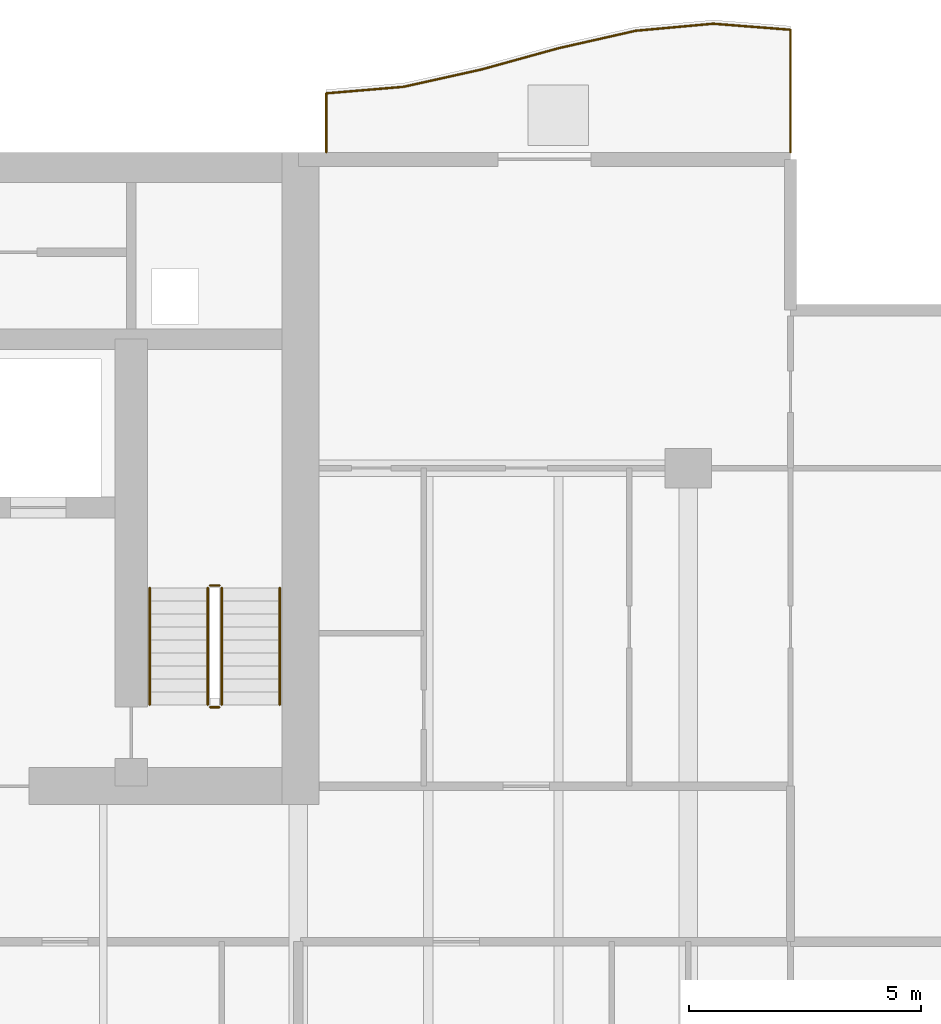
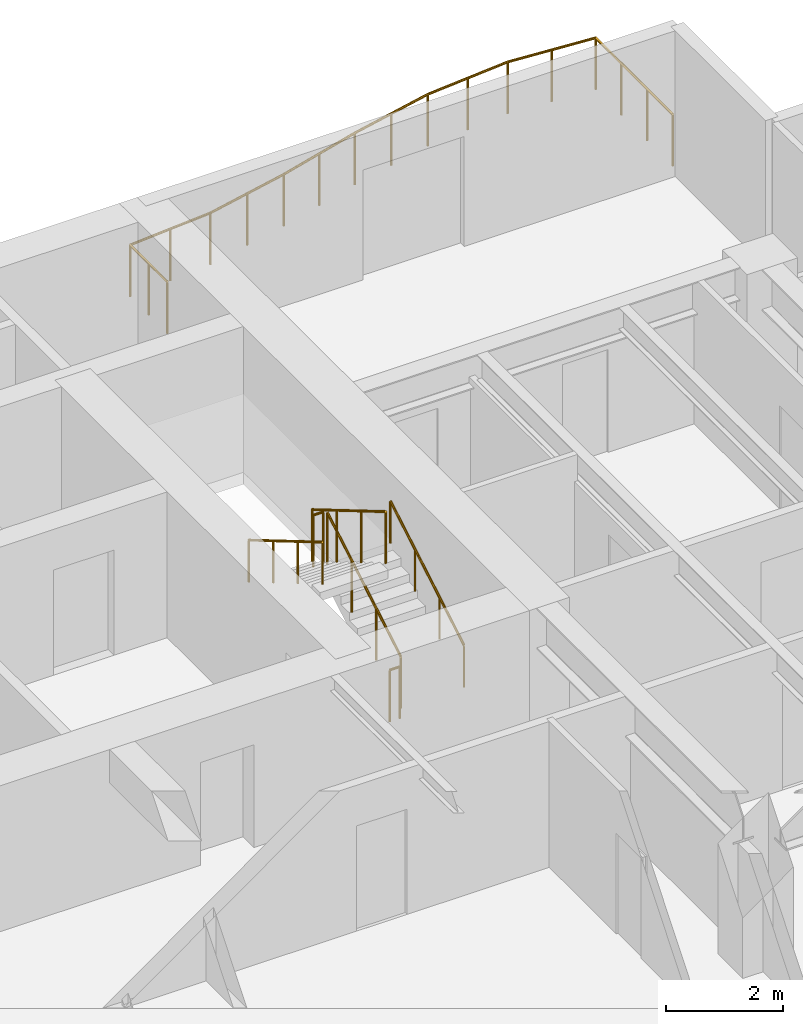
# One storey, part 19 of 20: 7 railings.
"""IFC4 building model written with IfcOpenShell, lengths in metres."""

from ifc_helpers import new_model, si_unit, direction, frame, origin, origin_2d, place, context, subcontext, project, spatial, circle, extrude, material, type_object, element, save


model = new_model("IFC4")

# Units and contexts
model_context = context("Model", 3, precision=1e-05, world=origin(), true_north=direction((0.0, 1.0)))
body_context = subcontext(model_context, "Body", "Model", "MODEL_VIEW")
ifc_project = project(units=[si_unit("LENGTHUNIT", "METRE"), si_unit("AREAUNIT", "SQUARE_METRE"), si_unit("VOLUMEUNIT", "CUBIC_METRE"), si_unit("PLANEANGLEUNIT", "RADIAN"), si_unit("MASSUNIT", "GRAM", prefix="KILO")], contexts=[model_context])

# Site, building, storey
site_placement = place(None, origin())
site = spatial("IfcSite", under=ifc_project, at=site_placement, CompositionType="ELEMENT")
building_placement = place(site_placement, origin())
building = spatial("IfcBuilding", under=site, at=building_placement, Name="Caelmar Bay Residences", CompositionType="ELEMENT")
storey_placement = place(building_placement, frame((0.0, 0.0, 119.10009765625)))
storey = spatial("IfcBuildingStorey", under=building, at=storey_placement, Name="L32", CompositionType="ELEMENT", Elevation=119.10009765625)

# Railings
ifc_material_1 = material(Name="Anodised bronze handrail with laminated hurricane glass infill", Category="glass")
railing_type_1 = type_object("IfcRailingType", Name="RL-BAL-1100", PredefinedType="BALUSTRADE", material=ifc_material_1)
railing_1_placement = place(storey_placement, frame((70.10009765625, 50.60009765625, 0.0)))
element("IfcRailing", 1, at=railing_1_placement, inside=storey, type_object=railing_type_1, Name="L32 north_east Balcony Balustrade", PredefinedType="BALUSTRADE", context=body_context, shape_type="SweptSolid", body=[
    extrude(circle(Radius=0.02392578125, at=origin_2d()), frame((0.0, 0.0, 1.076171875), z_axis=(0.0, 1.0, 0.0), x_axis=(-1.0, 0.0, 0.0)), (0.0, 0.0, 1.0), 2.6396484375),
    extrude(circle(Radius=0.02392578125, at=origin_2d()), frame((0.0, 2.6396484375, 1.076171875), z_axis=(-0.996966215155, 0.077835505006, 0.0), x_axis=(-0.077835505006, -0.996966215155, 0.0)), (0.0, 0.0, 1.0), 1.671875),
    extrude(circle(Radius=0.02392578125, at=origin_2d()), frame((-1.666748046875, 2.769775390625, 1.076171875), z_axis=(-0.995875251716, -0.090733031576, 0.0), x_axis=(0.090733031576, -0.995875251716, 0.0)), (0.0, 0.0, 1.0), 1.673583984375),
    extrude(circle(Radius=0.02392578125, at=origin_2d()), frame((-3.33349609375, 2.617919921875, 1.076171875), z_axis=(-0.975359729599, -0.220620483812, 0.0), x_axis=(0.220620483812, -0.975359729599, 0.0)), (0.0, 0.0, 1.0), 1.70849609375),
    extrude(circle(Radius=0.02392578125, at=origin_2d()), frame((-5.0, 2.240966796875, 1.076171875), z_axis=(-0.963967650546, -0.266019489326, 0.0), x_axis=(0.266019489326, -0.963967650546, 0.0)), (0.0, 0.0, 1.0), 1.72900390625),
    extrude(circle(Radius=0.02392578125, at=origin_2d()), frame((-6.666748046875, 1.781005859375, 1.076171875), z_axis=(-0.976220694112, -0.216779049696, 0.0), x_axis=(0.216779049696, -0.976220694112, 0.0)), (0.0, 0.0, 1.0), 1.707275390625),
    extrude(circle(Radius=0.02392578125, at=origin_2d()), frame((-8.33349609375, 1.410888671875, 1.076171875), z_axis=(-0.996446393918, -0.084229353837, 0.0), x_axis=(0.084229353837, -0.996446393918, 0.0)), (0.0, 0.0, 1.0), 1.67236328125),
    extrude(circle(Radius=0.02392578125, at=origin_2d()), frame((-10.0, 1.27001953125, 1.076171875), z_axis=(0.0, -1.0, 0.0), x_axis=(1.0, 0.0, 0.0)), (0.0, 0.0, 1.0), 1.27001953125),
    extrude(circle(Radius=0.02099609375, at=origin_2d()), origin(), (0.0, 0.0, 1.0), 1.052001953125),
    extrude(circle(Radius=0.02099609375, at=origin_2d()), frame((0.0, 0.8798828125, 0.0)), (0.0, 0.0, 1.0), 1.052001953125),
    extrude(circle(Radius=0.02099609375, at=origin_2d()), frame((0.0, 1.759765625, 0.0)), (0.0, 0.0, 1.0), 1.052001953125),
    extrude(circle(Radius=0.02099609375, at=origin_2d()), frame((0.0, 2.6396484375, 0.0)), (0.0, 0.0, 1.0), 1.052001953125),
    extrude(circle(Radius=0.02099609375, at=origin_2d()), frame((-0.83349609375, 2.70458984375, 0.0)), (0.0, 0.0, 1.0), 1.052001953125),
    extrude(circle(Radius=0.02099609375, at=origin_2d()), frame((-1.666748046875, 2.769775390625, 0.0)), (0.0, 0.0, 1.0), 1.052001953125),
    extrude(circle(Radius=0.02099609375, at=origin_2d()), frame((-2.5, 2.69384765625, 0.0)), (0.0, 0.0, 1.0), 1.052001953125),
    extrude(circle(Radius=0.02099609375, at=origin_2d()), frame((-3.33349609375, 2.617919921875, 0.0)), (0.0, 0.0, 1.0), 1.052001953125),
    extrude(circle(Radius=0.02099609375, at=origin_2d()), frame((-4.166748046875, 2.429443359375, 0.0)), (0.0, 0.0, 1.0), 1.052001953125),
    extrude(circle(Radius=0.02099609375, at=origin_2d()), frame((-5.0, 2.240966796875, 0.0)), (0.0, 0.0, 1.0), 1.052001953125),
    extrude(circle(Radius=0.02099609375, at=origin_2d()), frame((-5.83349609375, 2.010986328125, 0.0)), (0.0, 0.0, 1.0), 1.052001953125),
    extrude(circle(Radius=0.02099609375, at=origin_2d()), frame((-6.666748046875, 1.781005859375, 0.0)), (0.0, 0.0, 1.0), 1.052001953125),
    extrude(circle(Radius=0.02099609375, at=origin_2d()), frame((-7.5, 1.595947265625, 0.0)), (0.0, 0.0, 1.0), 1.052001953125),
    extrude(circle(Radius=0.02099609375, at=origin_2d()), frame((-8.33349609375, 1.410888671875, 0.0)), (0.0, 0.0, 1.0), 1.052001953125),
    extrude(circle(Radius=0.02099609375, at=origin_2d()), frame((-9.166748046875, 1.34033203125, 0.0)), (0.0, 0.0, 1.0), 1.052001953125),
    extrude(circle(Radius=0.02099609375, at=origin_2d()), frame((-10.0, 1.27001953125, 0.0)), (0.0, 0.0, 1.0), 1.052001953125),
    extrude(circle(Radius=0.02099609375, at=origin_2d()), frame((-10.0, 0.635009765625, 0.0)), (0.0, 0.0, 1.0), 1.052001953125),
    extrude(circle(Radius=0.02099609375, at=origin_2d()), frame((-10.0, 0.0, 0.0)), (0.0, 0.0, 1.0), 1.052001953125),
])
ifc_material_2 = material(Name="Painted galvanized steel stair guard 1100 mm", Category="steel")
railing_type_2 = type_object("IfcRailingType", Name="RL-GRD-1100", PredefinedType="GUARDRAIL", material=ifc_material_2)
railing_2_placement = place(storey_placement, frame((57.85009765625, 38.699951171875, 0.164794921875)))
element("IfcRailing", 2, at=railing_2_placement, inside=storey, type_object=railing_type_2, Name="L32 ST2 stair guard 1", PredefinedType="GUARDRAIL", context=body_context, shape_type="SweptSolid", body=[
    extrude(circle(Radius=0.02392578125, at=origin_2d()), frame((0.0, 0.0, 1.076171875), z_axis=(0.0, 0.86152411907, 0.507716645641), x_axis=(-1.0, 0.0, 0.0)), (0.0, 0.0, 1.0), 2.925048828125),
    extrude(circle(Radius=0.02099609375, at=origin_2d()), origin(), (0.0, 0.0, 1.0), 1.052001953125),
    extrude(circle(Radius=0.02099609375, at=origin_2d()), frame((0.0, 0.840087890625, 0.4951171875)), (0.0, 0.0, 1.0), 1.052001953125),
    extrude(circle(Radius=0.02099609375, at=origin_2d()), frame((0.0, 1.679931640625, 0.989990234375)), (0.0, 0.0, 1.0), 1.052001953125),
    extrude(circle(Radius=0.02099609375, at=origin_2d()), frame((0.0, 2.52001953125, 1.485107421875)), (0.0, 0.0, 1.0), 1.052001953125),
])
railing_3_placement = place(storey_placement, frame((57.800048828125, 41.27001953125, 1.64990234375)))
element("IfcRailing", 3, at=railing_3_placement, inside=storey, type_object=railing_type_2, Name="L32 ST2 stair guard 2", PredefinedType="GUARDRAIL", context=body_context, shape_type="SweptSolid", body=[
    extrude(circle(Radius=0.02392578125, at=origin_2d()), frame((0.0, 0.0, 1.076171875), z_axis=(-1.0, 0.0, 0.0), x_axis=(0.0, -1.0, 0.0)), (0.0, 0.0, 1.0), 0.199951171875),
    extrude(circle(Radius=0.02099609375, at=origin_2d()), origin(), (0.0, 0.0, 1.0), 1.052001953125),
    extrude(circle(Radius=0.02099609375, at=origin_2d()), frame((-0.199951171875, 0.0, 0.0)), (0.0, 0.0, 1.0), 1.052001953125),
])
railing_4_placement = place(storey_placement, frame((57.550048828125, 41.219970703125, 1.81494140625)))
element("IfcRailing", 4, at=railing_4_placement, inside=storey, type_object=railing_type_2, Name="L32 ST2 stair guard 3", PredefinedType="GUARDRAIL", context=body_context, shape_type="SweptSolid", body=[
    extrude(circle(Radius=0.02392578125, at=origin_2d()), frame((0.0, 0.0, 1.076171875), z_axis=(0.0, -0.861560626758, 0.507654692109), x_axis=(1.0, 0.0, 0.0)), (0.0, 0.0, 1.0), 2.925048828125),
    extrude(circle(Radius=0.02099609375, at=origin_2d()), origin(), (0.0, 0.0, 1.0), 1.052001953125),
    extrude(circle(Radius=0.02099609375, at=origin_2d()), frame((0.0, -0.840087890625, 0.494873046875)), (0.0, 0.0, 1.0), 1.052001953125),
    extrude(circle(Radius=0.02099609375, at=origin_2d()), frame((0.0, -1.679931640625, 0.989990234375)), (0.0, 0.0, 1.0), 1.052001953125),
    extrude(circle(Radius=0.02099609375, at=origin_2d()), frame((0.0, -2.52001953125, 1.48486328125)), (0.0, 0.0, 1.0), 1.052001953125),
])
railing_5_placement = place(storey_placement, frame((57.800048828125, 38.64990234375, 0.0)))
element("IfcRailing", 5, at=railing_5_placement, inside=storey, type_object=railing_type_2, Name="L32 ST2 stair guard 4", PredefinedType="GUARDRAIL", context=body_context, shape_type="SweptSolid", body=[
    extrude(circle(Radius=0.02392578125, at=origin_2d()), frame((0.0, 0.0, 1.076171875), z_axis=(-1.0, 0.0, 0.0), x_axis=(0.0, -1.0, 0.0)), (0.0, 0.0, 1.0), 0.199951171875),
    extrude(circle(Radius=0.02099609375, at=origin_2d()), origin(), (0.0, 0.0, 1.0), 1.052001953125),
    extrude(circle(Radius=0.02099609375, at=origin_2d()), frame((-0.199951171875, 0.0, 0.0)), (0.0, 0.0, 1.0), 1.052001953125),
])
ifc_material_3 = material(Name="Brushed bronze stainless-steel tubular handrail 900 mm", Category="steel")
railing_type_3 = type_object("IfcRailingType", Name="RL-HND-900", PredefinedType="HANDRAIL", material=ifc_material_3)
railing_6_placement = place(storey_placement, frame((59.10009765625, 38.699951171875, 0.164794921875)))
element("IfcRailing", 6, at=railing_6_placement, inside=storey, type_object=railing_type_3, Name="L32 ST2 stair handrail 1", PredefinedType="HANDRAIL", context=body_context, shape_type="SweptSolid", body=[
    extrude(circle(Radius=0.02392578125, at=origin_2d()), frame((0.0, 0.0, 0.8759765625), z_axis=(0.0, 0.86152411907, 0.507716645641), x_axis=(-1.0, 0.0, 0.0)), (0.0, 0.0, 1.0), 2.925048828125),
    extrude(circle(Radius=0.02099609375, at=origin_2d()), origin(), (0.0, 0.0, 1.0), 0.851806640625),
    extrude(circle(Radius=0.02099609375, at=origin_2d()), frame((0.0, 0.840087890625, 0.4951171875)), (0.0, 0.0, 1.0), 0.851806640625),
    extrude(circle(Radius=0.02099609375, at=origin_2d()), frame((0.0, 1.679931640625, 0.989990234375)), (0.0, 0.0, 1.0), 0.851806640625),
    extrude(circle(Radius=0.02099609375, at=origin_2d()), frame((0.0, 2.52001953125, 1.485107421875)), (0.0, 0.0, 1.0), 0.851806640625),
])
railing_7_placement = place(storey_placement, frame((56.300048828125, 41.219970703125, 1.81494140625)))
element("IfcRailing", 7, at=railing_7_placement, inside=storey, type_object=railing_type_3, Name="L32 ST2 stair handrail 2", PredefinedType="HANDRAIL", context=body_context, shape_type="SweptSolid", body=[
    extrude(circle(Radius=0.02392578125, at=origin_2d()), frame((0.0, 0.0, 0.8759765625), z_axis=(0.0, -0.861560626758, 0.507654692109), x_axis=(1.0, 0.0, 0.0)), (0.0, 0.0, 1.0), 2.925048828125),
    extrude(circle(Radius=0.02099609375, at=origin_2d()), origin(), (0.0, 0.0, 1.0), 0.851806640625),
    extrude(circle(Radius=0.02099609375, at=origin_2d()), frame((0.0, -0.840087890625, 0.494873046875)), (0.0, 0.0, 1.0), 0.851806640625),
    extrude(circle(Radius=0.02099609375, at=origin_2d()), frame((0.0, -1.679931640625, 0.989990234375)), (0.0, 0.0, 1.0), 0.851806640625),
    extrude(circle(Radius=0.02099609375, at=origin_2d()), frame((0.0, -2.52001953125, 1.48486328125)), (0.0, 0.0, 1.0), 0.851806640625),
])

save(model, "model.ifc")
